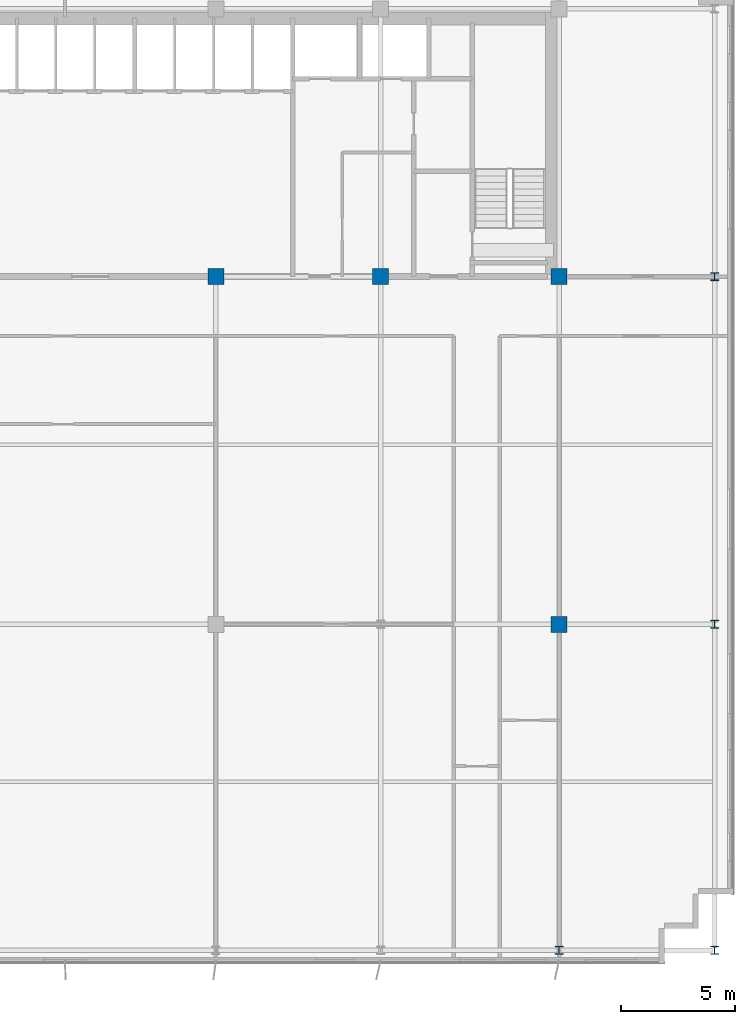
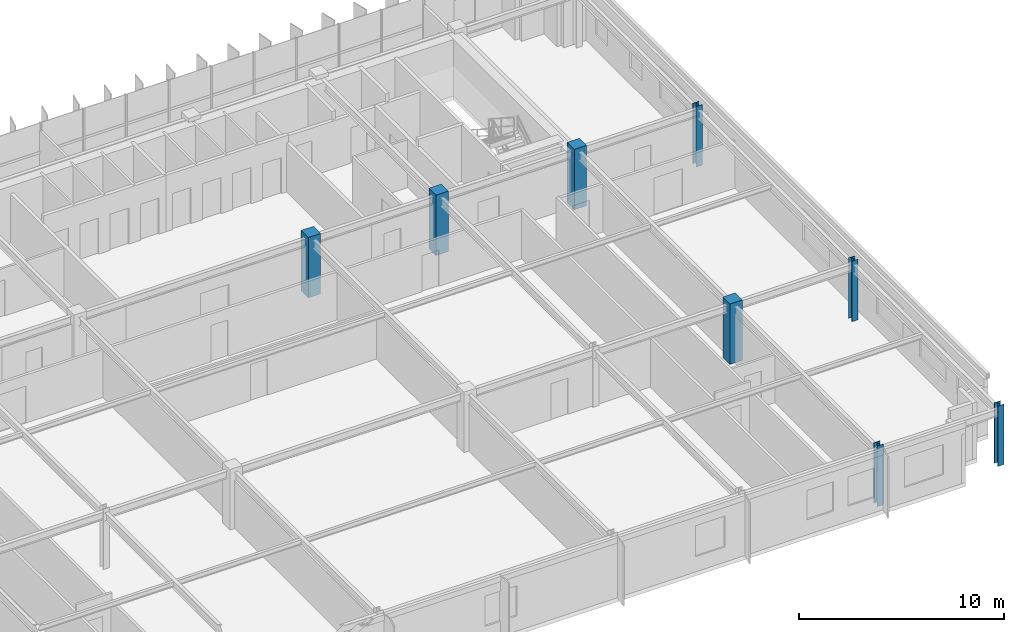
# One storey, part 2 of 19: 8 columns.
"""IFC4 building model written with IfcOpenShell, lengths in metres."""

from ifc_helpers import new_model, si_unit, direction, frame, origin, origin_2d, place, context, subcontext, project, spatial, rectangle, i_section, extrude, source, transform, mapped, material, material_profile, profile_set, type_object, element, save


model = new_model("IFC4")

# Units and contexts
model_context = context("Model", 3, precision=1e-05, world=origin(), true_north=direction((0.0, 1.0)))
body_context = subcontext(model_context, "Body", "Model", "MODEL_VIEW")
ifc_project = project(units=[si_unit("LENGTHUNIT", "METRE"), si_unit("AREAUNIT", "SQUARE_METRE"), si_unit("VOLUMEUNIT", "CUBIC_METRE"), si_unit("PLANEANGLEUNIT", "RADIAN"), si_unit("MASSUNIT", "GRAM", prefix="KILO")], contexts=[model_context])

# Site, building, storey
site_placement = place(None, origin())
site = spatial("IfcSite", under=ifc_project, at=site_placement, CompositionType="ELEMENT")
building_placement = place(site_placement, origin())
building = spatial("IfcBuilding", under=site, at=building_placement, Name="Trelvane Seafront Commons", CompositionType="ELEMENT")
storey_placement = place(building_placement, frame((0.0, 0.0, 215.699951171875)))
storey = spatial("IfcBuildingStorey", under=building, at=storey_placement, Name="L56", CompositionType="ELEMENT", Elevation=215.699951171875)

# Columns
ifc_material_1 = material(Name="Concrete C50/60", Category="concrete")
ifc_material_profile_1 = material_profile(ifc_material_1, rectangle(XDim=0.699951171875, YDim=0.699951171875, at=origin_2d()), Name="RC-700x700")
ifc_profile_set_1 = profile_set([ifc_material_profile_1], Name="Concrete C50/60")
column_type_1 = type_object("IfcColumnType", Name="STR-COL-RC700", PredefinedType="COLUMN", material=ifc_profile_set_1)
shared_shape_1 = source(origin(), body_context, "Body", "SweptSolid", [
    extrude(rectangle(XDim=0.699951171875, YDim=0.699951171875, at=origin_2d()), origin(), (0.0, 0.0, 1.0), 3.60009765625),
])
for number, where, z_axis, x_axis, name in (
    (1, (43.800048828125, 33.39990234375, 0.0), (0.0, 0.0, 1.0), (1.0, 0.0, 0.0), "L56 Column TC-CS43.8"),
    (2, (51.0, 33.39990234375, 0.0), (0.0, 0.0, 1.0), (1.0, 0.0, 0.0), "L56 Column TC-CS51.0"),
    (3, (58.800048828125, 18.199951171875, 0.0), (0.0, 0.0, 1.0), (1.0, 0.0, 0.0), "L56 Column TC-M58.8"),
    (4, (58.800048828125, 33.39990234375, 0.0), (0.0, 0.0, 1.0), (1.0, 0.0, 0.0), "L56 Column TC-CS58.8"),
):
    element("IfcColumn", number, at=place(storey_placement, frame(where, z_axis=z_axis, x_axis=x_axis)), inside=storey, type_object=column_type_1, Name=name, PredefinedType="COLUMN", context=body_context, shape_type="MappedRepresentation", body=[
        mapped(shared_shape_1, transform((0.0, 0.0, 0.0), x_axis=(1.0, 0.0, 0.0), y_axis=(0.0, 1.0, 0.0), z_axis=(0.0, 0.0, 1.0), scale=1.0)),
    ])
ifc_material_2 = material(Name="Steel SM355 (S355)", Category="steel")
ifc_material_profile_2 = material_profile(ifc_material_2, i_section(OverallWidth=0.35009765625, OverallDepth=0.35009765625, WebThickness=0.01806640625, FlangeThickness=0.028076171875, at=origin_2d()), Name="HD-350x350x18x28")
ifc_profile_set_2 = profile_set([ifc_material_profile_2], Name="Steel SM355 (S355)")
column_type_2 = type_object("IfcColumnType", Name="STR-COL-HD350", PredefinedType="COLUMN", material=ifc_profile_set_2)
shared_shape_2 = source(origin(), body_context, "Body", "SweptSolid", [
    extrude(i_section(OverallWidth=0.35009765625, OverallDepth=0.35009765625, WebThickness=0.01806640625, FlangeThickness=0.028076171875, at=origin_2d()), origin(), (0.0, 0.0, 1.0), 3.60009765625),
])
for number, where, z_axis, x_axis, name in (
    (5, (58.800048828125, 3.949951171875, 0.0), (0.0, 0.0, 1.0), (1.0, 0.0, 0.0), "L56 Column TC-S58.8"),
    (6, (65.60009765625, 3.949951171875, 0.0), (0.0, 0.0, 1.0), (1.0, 0.0, 0.0), "L56 Column TC-S65.6"),
    (7, (65.60009765625, 18.199951171875, 0.0), (0.0, 0.0, 1.0), (1.0, 0.0, 0.0), "L56 Column TC-M65.6"),
    (8, (65.60009765625, 33.39990234375, 0.0), (0.0, 0.0, 1.0), (1.0, 0.0, 0.0), "L56 Column TC-CS65.6"),
):
    element("IfcColumn", number, at=place(storey_placement, frame(where, z_axis=z_axis, x_axis=x_axis)), inside=storey, type_object=column_type_2, Name=name, PredefinedType="COLUMN", context=body_context, shape_type="MappedRepresentation", body=[
        mapped(shared_shape_2, transform((0.0, 0.0, 0.0), x_axis=(1.0, 0.0, 0.0), y_axis=(0.0, 1.0, 0.0), z_axis=(0.0, 0.0, 1.0), scale=1.0)),
    ])

save(model, "model.ifc")
